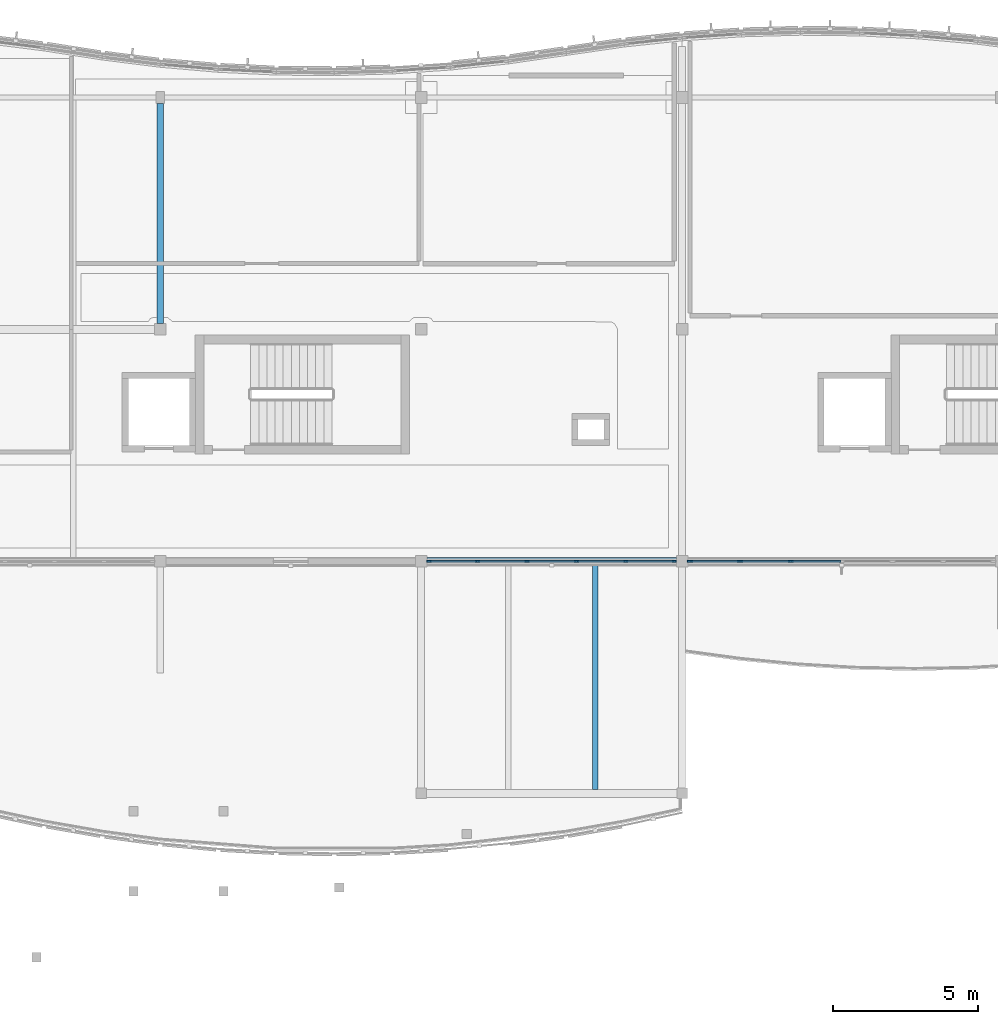
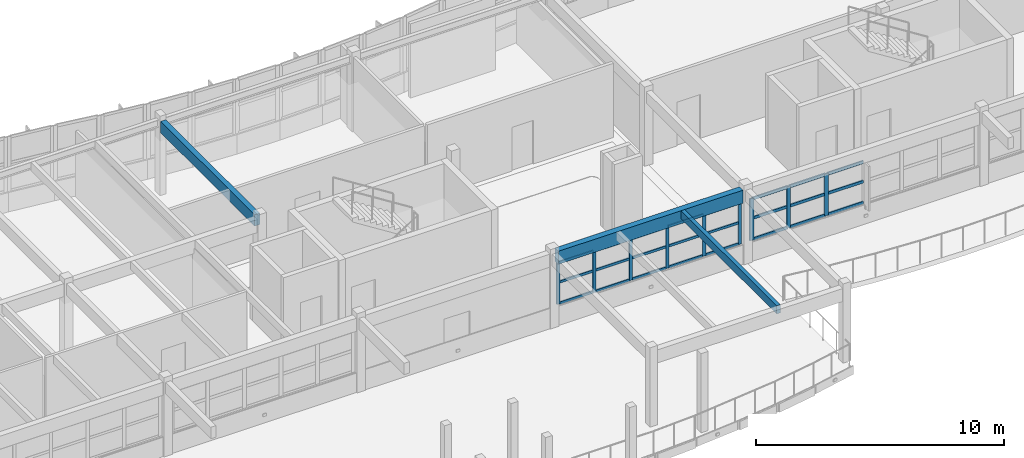
# One storey, part 20 of 63: 33 members, 3 beams, 2 elements without a shape of their own.
"""IFC4 building model written with IfcOpenShell, lengths in metres."""

from ifc_helpers import new_model, si_unit, direction, frame, origin, origin_2d, place, context, subcontext, project, spatial, rectangle, extrude, material, layer, layer_set, material_profile, profile_set, type_object, element, aggregate, save


model = new_model("IFC4")

# Units and contexts
model_context = context("Model", 3, precision=1e-05, world=origin(), true_north=direction((0.0, 1.0)))
body_context = subcontext(model_context, "Body", "Model", "MODEL_VIEW")
ifc_project = project(units=[si_unit("LENGTHUNIT", "METRE"), si_unit("AREAUNIT", "SQUARE_METRE"), si_unit("VOLUMEUNIT", "CUBIC_METRE"), si_unit("PLANEANGLEUNIT", "RADIAN"), si_unit("MASSUNIT", "GRAM", prefix="KILO")], contexts=[model_context])

# Site, building, storey
site_placement = place(None, origin())
site = spatial("IfcSite", under=ifc_project, at=site_placement, CompositionType="ELEMENT")
building_placement = place(site_placement, origin())
building = spatial("IfcBuilding", under=site, at=building_placement, Name="Tonlespit Floodbar School", CompositionType="ELEMENT")
storey_placement = place(building_placement, frame((0.0, 0.0, 8.39990234375)))
storey = spatial("IfcBuildingStorey", under=building, at=storey_placement, Name="L02", CompositionType="ELEMENT", Elevation=8.39990234375)

# Beams
ifc_material_1 = material(Name="Glulam GL28h", Category="wood")
ifc_material_profile_1 = material_profile(ifc_material_1, rectangle(XDim=0.239990234375, YDim=0.56005859375, at=origin_2d()), Name="GL 240x560")
ifc_profile_set_1 = profile_set([ifc_material_profile_1], Name="Glulam GL28h")
beam_type_1 = type_object("IfcBeamType", Name="Beam_GL_240x560", PredefinedType="BEAM", material=ifc_profile_set_1)
beam_1_placement = place(storey_placement, frame((98.0, 112.199951171875, 3.3701171875), z_axis=(0.0, 1.0, 0.0), x_axis=(-1.0, 0.0, 0.0)))
element("IfcBeam", 1, at=beam_1_placement, inside=storey, type_object=beam_type_1, Name="L02 girder 1043", PredefinedType="BEAM", context=body_context, shape_type="SweptSolid", body=[
    extrude(rectangle(XDim=0.239990234375, YDim=0.56005859375, at=origin_2d()), origin(), (0.0, 0.0, 1.0), 7.590087890625),
])
ifc_material_profile_2 = material_profile(ifc_material_1, rectangle(XDim=0.280029296875, YDim=0.639892578125, at=origin_2d()), Name="GL 280x640")
ifc_profile_set_2 = profile_set([ifc_material_profile_2], Name="Glulam GL28h")
beam_type_2 = type_object("IfcBeamType", Name="Beam_GL_280x640", PredefinedType="BEAM", material=ifc_profile_set_2)
beam_2_placement = place(storey_placement, frame((107.199951171875, 104.0, 3.328125), z_axis=(1.0, 0.0, 0.0), x_axis=(0.0, 1.0, 0.0)))
element("IfcBeam", 2, at=beam_2_placement, inside=storey, type_object=beam_type_2, Name="L02 girder 0966", PredefinedType="BEAM", context=body_context, shape_type="SweptSolid", body=[
    extrude(rectangle(XDim=0.280029296875, YDim=0.639892578125, at=origin_2d()), origin(), (0.0, 0.0, 1.0), 8.60009765625),
])

# Curtain wall, members
ifc_material_2 = material(Name="Anodised Aluminium", Category="aluminium")
ifc_layer_1 = layer(ifc_material_2, 0.159912109375)
ifc_layer_set_1 = layer_set([ifc_layer_1], Name="Anodised Aluminium")
curtain_wall_type_1 = type_object("IfcCurtainWallType", Name="CurtainWall_8500x2050", PredefinedType="NOTDEFINED", material=ifc_layer_set_1)
curtain_wall_1_placement = place(storey_placement, origin())
curtain_wall_1 = element("IfcCurtainWall", 3, at=curtain_wall_1_placement, inside=storey, type_object=curtain_wall_type_1, Name="L02 unitised curtain wall 0118", PredefinedType="NOTDEFINED")
ifc_material_profile_3 = material_profile(ifc_material_2, rectangle(XDim=0.06494140625, YDim=0.14990234375, at=origin_2d()), Name="ALU M65x150")
ifc_profile_set_3 = profile_set([ifc_material_profile_3], Name="Anodised Aluminium")
member_type_1 = type_object("IfcMemberType", Name="CW_Mullion_65x150", PredefinedType="MULLION", material=ifc_profile_set_3)
member_1_placement = place(storey_placement, frame((115.7275390625, 104.0, 0.9501953125), z_axis=(0.0, 0.0, 1.0), x_axis=(0.0, -1.0, 0.0)))
member_1 = element("IfcMember", 4, at=member_1_placement, type_object=member_type_1, Name="CW-07 mullion 1", PredefinedType="MULLION", context=body_context, shape_type="SweptSolid", body=[
    extrude(rectangle(XDim=0.06494140625, YDim=0.14990234375, at=origin_2d()), origin(), (0.0, 0.0, 1.0), 2.057861328125),
])
member_2_placement = place(storey_placement, frame((114.055908203125, 104.0, 0.9501953125), z_axis=(0.0, 0.0, 1.0), x_axis=(0.0, -1.0, 0.0)))
member_2 = element("IfcMember", 5, at=member_2_placement, type_object=member_type_1, Name="CW-07 mullion 2", PredefinedType="MULLION", context=body_context, shape_type="SweptSolid", body=[
    extrude(rectangle(XDim=0.06494140625, YDim=0.14990234375, at=origin_2d()), origin(), (0.0, 0.0, 1.0), 2.057861328125),
])
member_3_placement = place(storey_placement, frame((112.35205078125, 104.0, 0.9501953125), z_axis=(0.0, 0.0, 1.0), x_axis=(0.0, -1.0, 0.0)))
member_3 = element("IfcMember", 6, at=member_3_placement, type_object=member_type_1, Name="CW-07 mullion 3", PredefinedType="MULLION", context=body_context, shape_type="SweptSolid", body=[
    extrude(rectangle(XDim=0.06494140625, YDim=0.14990234375, at=origin_2d()), origin(), (0.0, 0.0, 1.0), 2.057861328125),
])
member_4_placement = place(storey_placement, frame((110.64794921875, 104.0, 0.9501953125), z_axis=(0.0, 0.0, 1.0), x_axis=(0.0, -1.0, 0.0)))
member_4 = element("IfcMember", 7, at=member_4_placement, type_object=member_type_1, Name="CW-07 mullion 4", PredefinedType="MULLION", context=body_context, shape_type="SweptSolid", body=[
    extrude(rectangle(XDim=0.06494140625, YDim=0.14990234375, at=origin_2d()), origin(), (0.0, 0.0, 1.0), 2.057861328125),
])
member_5_placement = place(storey_placement, frame((108.944091796875, 104.0, 0.9501953125), z_axis=(0.0, 0.0, 1.0), x_axis=(0.0, -1.0, 0.0)))
member_5 = element("IfcMember", 8, at=member_5_placement, type_object=member_type_1, Name="CW-07 mullion 5", PredefinedType="MULLION", context=body_context, shape_type="SweptSolid", body=[
    extrude(rectangle(XDim=0.06494140625, YDim=0.14990234375, at=origin_2d()), origin(), (0.0, 0.0, 1.0), 2.057861328125),
])
member_6_placement = place(storey_placement, frame((107.2724609375, 104.0, 0.9501953125), z_axis=(0.0, 0.0, 1.0), x_axis=(0.0, -1.0, 0.0)))
member_6 = element("IfcMember", 9, at=member_6_placement, type_object=member_type_1, Name="CW-07 mullion 6", PredefinedType="MULLION", context=body_context, shape_type="SweptSolid", body=[
    extrude(rectangle(XDim=0.06494140625, YDim=0.14990234375, at=origin_2d()), origin(), (0.0, 0.0, 1.0), 2.057861328125),
])

ifc_layer_2 = layer(ifc_material_2, 0.159912109375)
ifc_layer_set_2 = layer_set([ifc_layer_2], Name="Anodised Aluminium")
curtain_wall_type_2 = type_object("IfcCurtainWallType", Name="CurtainWall_10500x2050", PredefinedType="NOTDEFINED", material=ifc_layer_set_2)
curtain_wall_2_placement = place(storey_placement, origin())
curtain_wall_2 = element("IfcCurtainWall", 10, at=curtain_wall_2_placement, inside=storey, type_object=curtain_wall_type_2, Name="L02 unitised curtain wall 0445", PredefinedType="NOTDEFINED")
ifc_material_profile_4 = material_profile(ifc_material_2, rectangle(XDim=0.06494140625, YDim=0.179931640625, at=origin_2d()), Name="ALU M65x180")
ifc_profile_set_4 = profile_set([ifc_material_profile_4], Name="Anodised Aluminium")
member_type_2 = type_object("IfcMemberType", Name="CW_Mullion_65x180", PredefinedType="MULLION", material=ifc_profile_set_4)
member_7_placement = place(storey_placement, frame((119.74658203125, 104.0, 0.9501953125), z_axis=(0.0, 0.0, 1.0), x_axis=(0.0, -1.0, 0.0)))
member_7 = element("IfcMember", 11, at=member_7_placement, type_object=member_type_2, Name="CW-68 mullion 5", PredefinedType="MULLION", context=body_context, shape_type="SweptSolid", body=[
    extrude(rectangle(XDim=0.06494140625, YDim=0.179931640625, at=origin_2d()), origin(), (0.0, 0.0, 1.0), 2.054931640625),
])
member_8_placement = place(storey_placement, frame((117.993408203125, 104.0, 0.9501953125), z_axis=(0.0, 0.0, 1.0), x_axis=(0.0, -1.0, 0.0)))
member_8 = element("IfcMember", 12, at=member_8_placement, type_object=member_type_2, Name="CW-68 mullion 6", PredefinedType="MULLION", context=body_context, shape_type="SweptSolid", body=[
    extrude(rectangle(XDim=0.06494140625, YDim=0.179931640625, at=origin_2d()), origin(), (0.0, 0.0, 1.0), 2.054931640625),
])
member_9_placement = place(storey_placement, frame((116.2724609375, 104.0, 0.9501953125), z_axis=(0.0, 0.0, 1.0), x_axis=(0.0, -1.0, 0.0)))
member_9 = element("IfcMember", 13, at=member_9_placement, type_object=member_type_2, Name="CW-68 mullion 7", PredefinedType="MULLION", context=body_context, shape_type="SweptSolid", body=[
    extrude(rectangle(XDim=0.06494140625, YDim=0.179931640625, at=origin_2d()), origin(), (0.0, 0.0, 1.0), 2.054931640625),
])

# Member
ifc_material_profile_5 = material_profile(ifc_material_2, rectangle(XDim=0.06494140625, YDim=0.1201171875, at=origin_2d()), Name="ALU T65x120")
ifc_profile_set_5 = profile_set([ifc_material_profile_5], Name="Anodised Aluminium")
member_type_3 = type_object("IfcMemberType", Name="CW_Transom_65x120", PredefinedType="USERDEFINED", material=ifc_profile_set_5)
member_10_placement = place(storey_placement, frame((115.695068359375, 104.0, 0.982666015625), z_axis=(-1.0, 0.0, 0.0), x_axis=(0.0, -1.0, 0.0)))
member_10 = element("IfcMember", 14, at=member_10_placement, type_object=member_type_3, Name="CW-07 transom 1.1", ObjectType="TRANSOM", PredefinedType="USERDEFINED", context=body_context, shape_type="SweptSolid", body=[
    extrude(rectangle(XDim=0.06494140625, YDim=0.1201171875, at=origin_2d()), origin(), (0.0, 0.0, 1.0), 1.606689453125),
])

member_11_placement = place(storey_placement, frame((115.695068359375, 104.0, 2.020263671875), z_axis=(-1.0, 0.0, 0.0), x_axis=(0.0, -1.0, 0.0)))
member_11 = element("IfcMember", 15, at=member_11_placement, type_object=member_type_3, Name="CW-07 transom 1.2", ObjectType="TRANSOM", PredefinedType="USERDEFINED", context=body_context, shape_type="SweptSolid", body=[
    extrude(rectangle(XDim=0.06494140625, YDim=0.1201171875, at=origin_2d()), origin(), (0.0, 0.0, 1.0), 1.606689453125),
])

member_12_placement = place(storey_placement, frame((115.695068359375, 104.0, 2.9755859375), z_axis=(-1.0, 0.0, 0.0), x_axis=(0.0, -1.0, 0.0)))
member_12 = element("IfcMember", 16, at=member_12_placement, type_object=member_type_3, Name="CW-07 transom 1.3", ObjectType="TRANSOM", PredefinedType="USERDEFINED", context=body_context, shape_type="SweptSolid", body=[
    extrude(rectangle(XDim=0.06494140625, YDim=0.1201171875, at=origin_2d()), origin(), (0.0, 0.0, 1.0), 1.606689453125),
])

member_13_placement = place(storey_placement, frame((114.0234375, 104.0, 0.982666015625), z_axis=(-1.0, 0.0, 0.0), x_axis=(0.0, -1.0, 0.0)))
member_13 = element("IfcMember", 17, at=member_13_placement, type_object=member_type_3, Name="CW-07 transom 2.1", ObjectType="TRANSOM", PredefinedType="USERDEFINED", context=body_context, shape_type="SweptSolid", body=[
    extrude(rectangle(XDim=0.06494140625, YDim=0.1201171875, at=origin_2d()), origin(), (0.0, 0.0, 1.0), 1.638916015625),
])

member_14_placement = place(storey_placement, frame((114.0234375, 104.0, 2.020263671875), z_axis=(-1.0, 0.0, 0.0), x_axis=(0.0, -1.0, 0.0)))
member_14 = element("IfcMember", 18, at=member_14_placement, type_object=member_type_3, Name="CW-07 transom 2.2", ObjectType="TRANSOM", PredefinedType="USERDEFINED", context=body_context, shape_type="SweptSolid", body=[
    extrude(rectangle(XDim=0.06494140625, YDim=0.1201171875, at=origin_2d()), origin(), (0.0, 0.0, 1.0), 1.638916015625),
])

member_15_placement = place(storey_placement, frame((114.0234375, 104.0, 2.9755859375), z_axis=(-1.0, 0.0, 0.0), x_axis=(0.0, -1.0, 0.0)))
member_15 = element("IfcMember", 19, at=member_15_placement, type_object=member_type_3, Name="CW-07 transom 2.3", ObjectType="TRANSOM", PredefinedType="USERDEFINED", context=body_context, shape_type="SweptSolid", body=[
    extrude(rectangle(XDim=0.06494140625, YDim=0.1201171875, at=origin_2d()), origin(), (0.0, 0.0, 1.0), 1.638916015625),
])

member_16_placement = place(storey_placement, frame((112.319580078125, 104.0, 0.982666015625), z_axis=(-1.0, 0.0, 0.0), x_axis=(0.0, -1.0, 0.0)))
member_16 = element("IfcMember", 20, at=member_16_placement, type_object=member_type_3, Name="CW-07 transom 3.1", ObjectType="TRANSOM", PredefinedType="USERDEFINED", context=body_context, shape_type="SweptSolid", body=[
    extrude(rectangle(XDim=0.06494140625, YDim=0.1201171875, at=origin_2d()), origin(), (0.0, 0.0, 1.0), 1.63916015625),
])

member_17_placement = place(storey_placement, frame((112.319580078125, 104.0, 2.020263671875), z_axis=(-1.0, 0.0, 0.0), x_axis=(0.0, -1.0, 0.0)))
member_17 = element("IfcMember", 21, at=member_17_placement, type_object=member_type_3, Name="CW-07 transom 3.2", ObjectType="TRANSOM", PredefinedType="USERDEFINED", context=body_context, shape_type="SweptSolid", body=[
    extrude(rectangle(XDim=0.06494140625, YDim=0.1201171875, at=origin_2d()), origin(), (0.0, 0.0, 1.0), 1.63916015625),
])

member_18_placement = place(storey_placement, frame((112.319580078125, 104.0, 2.9755859375), z_axis=(-1.0, 0.0, 0.0), x_axis=(0.0, -1.0, 0.0)))
member_18 = element("IfcMember", 22, at=member_18_placement, type_object=member_type_3, Name="CW-07 transom 3.3", ObjectType="TRANSOM", PredefinedType="USERDEFINED", context=body_context, shape_type="SweptSolid", body=[
    extrude(rectangle(XDim=0.06494140625, YDim=0.1201171875, at=origin_2d()), origin(), (0.0, 0.0, 1.0), 1.63916015625),
])

member_19_placement = place(storey_placement, frame((110.615478515625, 104.0, 0.982666015625), z_axis=(-1.0, 0.0, 0.0), x_axis=(0.0, -1.0, 0.0)))
member_19 = element("IfcMember", 23, at=member_19_placement, type_object=member_type_3, Name="CW-07 transom 4.1", ObjectType="TRANSOM", PredefinedType="USERDEFINED", context=body_context, shape_type="SweptSolid", body=[
    extrude(rectangle(XDim=0.06494140625, YDim=0.1201171875, at=origin_2d()), origin(), (0.0, 0.0, 1.0), 1.638916015625),
])

member_20_placement = place(storey_placement, frame((110.615478515625, 104.0, 2.020263671875), z_axis=(-1.0, 0.0, 0.0), x_axis=(0.0, -1.0, 0.0)))
member_20 = element("IfcMember", 24, at=member_20_placement, type_object=member_type_3, Name="CW-07 transom 4.2", ObjectType="TRANSOM", PredefinedType="USERDEFINED", context=body_context, shape_type="SweptSolid", body=[
    extrude(rectangle(XDim=0.06494140625, YDim=0.1201171875, at=origin_2d()), origin(), (0.0, 0.0, 1.0), 1.638916015625),
])

member_21_placement = place(storey_placement, frame((110.615478515625, 104.0, 2.9755859375), z_axis=(-1.0, 0.0, 0.0), x_axis=(0.0, -1.0, 0.0)))
member_21 = element("IfcMember", 25, at=member_21_placement, type_object=member_type_3, Name="CW-07 transom 4.3", ObjectType="TRANSOM", PredefinedType="USERDEFINED", context=body_context, shape_type="SweptSolid", body=[
    extrude(rectangle(XDim=0.06494140625, YDim=0.1201171875, at=origin_2d()), origin(), (0.0, 0.0, 1.0), 1.638916015625),
])

member_22_placement = place(storey_placement, frame((108.91162109375, 104.0, 0.982666015625), z_axis=(-1.0, 0.0, 0.0), x_axis=(0.0, -1.0, 0.0)))
member_22 = element("IfcMember", 26, at=member_22_placement, type_object=member_type_3, Name="CW-07 transom 5.1", ObjectType="TRANSOM", PredefinedType="USERDEFINED", context=body_context, shape_type="SweptSolid", body=[
    extrude(rectangle(XDim=0.06494140625, YDim=0.1201171875, at=origin_2d()), origin(), (0.0, 0.0, 1.0), 1.606689453125),
])

member_23_placement = place(storey_placement, frame((108.91162109375, 104.0, 2.020263671875), z_axis=(-1.0, 0.0, 0.0), x_axis=(0.0, -1.0, 0.0)))
member_23 = element("IfcMember", 27, at=member_23_placement, type_object=member_type_3, Name="CW-07 transom 5.2", ObjectType="TRANSOM", PredefinedType="USERDEFINED", context=body_context, shape_type="SweptSolid", body=[
    extrude(rectangle(XDim=0.06494140625, YDim=0.1201171875, at=origin_2d()), origin(), (0.0, 0.0, 1.0), 1.606689453125),
])

member_24_placement = place(storey_placement, frame((108.91162109375, 104.0, 2.9755859375), z_axis=(-1.0, 0.0, 0.0), x_axis=(0.0, -1.0, 0.0)))
member_24 = element("IfcMember", 28, at=member_24_placement, type_object=member_type_3, Name="CW-07 transom 5.3", ObjectType="TRANSOM", PredefinedType="USERDEFINED", context=body_context, shape_type="SweptSolid", body=[
    extrude(rectangle(XDim=0.06494140625, YDim=0.1201171875, at=origin_2d()), origin(), (0.0, 0.0, 1.0), 1.606689453125),
])

aggregate(curtain_wall_1, [member_1, member_2, member_3, member_4, member_5, member_6, member_10, member_11, member_12, member_13, member_14, member_15, member_16, member_17, member_18, member_19, member_20, member_21, member_22, member_23, member_24])

ifc_material_profile_6 = material_profile(ifc_material_2, rectangle(XDim=0.06494140625, YDim=0.139892578125, at=origin_2d()), Name="ALU T65x140")
ifc_profile_set_6 = profile_set([ifc_material_profile_6], Name="Anodised Aluminium")
member_type_4 = type_object("IfcMemberType", Name="CW_Transom_65x140", PredefinedType="USERDEFINED", material=ifc_profile_set_6)
member_25_placement = place(storey_placement, frame((121.467529296875, 104.0, 0.982666015625), z_axis=(-1.0, 0.0, 0.0), x_axis=(0.0, -1.0, 0.0)))
member_25 = element("IfcMember", 29, at=member_25_placement, type_object=member_type_4, Name="CW-68 transom 4.1", ObjectType="TRANSOM", PredefinedType="USERDEFINED", context=body_context, shape_type="SweptSolid", body=[
    extrude(rectangle(XDim=0.06494140625, YDim=0.139892578125, at=origin_2d()), origin(), (0.0, 0.0, 1.0), 1.6884765625),
])

member_26_placement = place(storey_placement, frame((121.467529296875, 104.0, 2.018798828125), z_axis=(-1.0, 0.0, 0.0), x_axis=(0.0, -1.0, 0.0)))
member_26 = element("IfcMember", 30, at=member_26_placement, type_object=member_type_4, Name="CW-68 transom 4.2", ObjectType="TRANSOM", PredefinedType="USERDEFINED", context=body_context, shape_type="SweptSolid", body=[
    extrude(rectangle(XDim=0.06494140625, YDim=0.139892578125, at=origin_2d()), origin(), (0.0, 0.0, 1.0), 1.6884765625),
])

member_27_placement = place(storey_placement, frame((121.467529296875, 104.0, 2.97265625), z_axis=(-1.0, 0.0, 0.0), x_axis=(0.0, -1.0, 0.0)))
member_27 = element("IfcMember", 31, at=member_27_placement, type_object=member_type_4, Name="CW-68 transom 4.3", ObjectType="TRANSOM", PredefinedType="USERDEFINED", context=body_context, shape_type="SweptSolid", body=[
    extrude(rectangle(XDim=0.06494140625, YDim=0.139892578125, at=origin_2d()), origin(), (0.0, 0.0, 1.0), 1.6884765625),
])

member_28_placement = place(storey_placement, frame((119.714111328125, 104.0, 0.982666015625), z_axis=(-1.0, 0.0, 0.0), x_axis=(0.0, -1.0, 0.0)))
member_28 = element("IfcMember", 32, at=member_28_placement, type_object=member_type_4, Name="CW-68 transom 5.1", ObjectType="TRANSOM", PredefinedType="USERDEFINED", context=body_context, shape_type="SweptSolid", body=[
    extrude(rectangle(XDim=0.06494140625, YDim=0.139892578125, at=origin_2d()), origin(), (0.0, 0.0, 1.0), 1.688232421875),
])

member_29_placement = place(storey_placement, frame((119.714111328125, 104.0, 2.018798828125), z_axis=(-1.0, 0.0, 0.0), x_axis=(0.0, -1.0, 0.0)))
member_29 = element("IfcMember", 33, at=member_29_placement, type_object=member_type_4, Name="CW-68 transom 5.2", ObjectType="TRANSOM", PredefinedType="USERDEFINED", context=body_context, shape_type="SweptSolid", body=[
    extrude(rectangle(XDim=0.06494140625, YDim=0.139892578125, at=origin_2d()), origin(), (0.0, 0.0, 1.0), 1.688232421875),
])

member_30_placement = place(storey_placement, frame((119.714111328125, 104.0, 2.97265625), z_axis=(-1.0, 0.0, 0.0), x_axis=(0.0, -1.0, 0.0)))
member_30 = element("IfcMember", 34, at=member_30_placement, type_object=member_type_4, Name="CW-68 transom 5.3", ObjectType="TRANSOM", PredefinedType="USERDEFINED", context=body_context, shape_type="SweptSolid", body=[
    extrude(rectangle(XDim=0.06494140625, YDim=0.139892578125, at=origin_2d()), origin(), (0.0, 0.0, 1.0), 1.688232421875),
])

member_31_placement = place(storey_placement, frame((117.9609375, 104.0, 0.982666015625), z_axis=(-1.0, 0.0, 0.0), x_axis=(0.0, -1.0, 0.0)))
member_31 = element("IfcMember", 35, at=member_31_placement, type_object=member_type_4, Name="CW-68 transom 6.1", ObjectType="TRANSOM", PredefinedType="USERDEFINED", context=body_context, shape_type="SweptSolid", body=[
    extrude(rectangle(XDim=0.06494140625, YDim=0.139892578125, at=origin_2d()), origin(), (0.0, 0.0, 1.0), 1.656005859375),
])

member_32_placement = place(storey_placement, frame((117.9609375, 104.0, 2.018798828125), z_axis=(-1.0, 0.0, 0.0), x_axis=(0.0, -1.0, 0.0)))
member_32 = element("IfcMember", 36, at=member_32_placement, type_object=member_type_4, Name="CW-68 transom 6.2", ObjectType="TRANSOM", PredefinedType="USERDEFINED", context=body_context, shape_type="SweptSolid", body=[
    extrude(rectangle(XDim=0.06494140625, YDim=0.139892578125, at=origin_2d()), origin(), (0.0, 0.0, 1.0), 1.656005859375),
])

member_33_placement = place(storey_placement, frame((117.9609375, 104.0, 2.97265625), z_axis=(-1.0, 0.0, 0.0), x_axis=(0.0, -1.0, 0.0)))
member_33 = element("IfcMember", 37, at=member_33_placement, type_object=member_type_4, Name="CW-68 transom 6.3", ObjectType="TRANSOM", PredefinedType="USERDEFINED", context=body_context, shape_type="SweptSolid", body=[
    extrude(rectangle(XDim=0.06494140625, YDim=0.139892578125, at=origin_2d()), origin(), (0.0, 0.0, 1.0), 1.656005859375),
])

aggregate(curtain_wall_2, [member_7, member_8, member_9, member_25, member_26, member_27, member_28, member_29, member_30, member_31, member_32, member_33])

# Beam
ifc_material_profile_7 = material_profile(ifc_material_1, rectangle(XDim=0.179931640625, YDim=0.39990234375, at=origin_2d()), Name="GL 180x400")
ifc_profile_set_7 = profile_set([ifc_material_profile_7], Name="Glulam GL28h")
beam_type_3 = type_object("IfcBeamType", Name="Joist_GL_180x400", PredefinedType="JOIST", material=ifc_profile_set_7)
beam_3_placement = place(storey_placement, frame((113.0, 96.139892578125, 3.447998046875), z_axis=(0.0, 1.0, 0.0), x_axis=(-1.0, 0.0, 0.0)))
element("IfcBeam", 38, at=beam_3_placement, inside=storey, type_object=beam_type_3, Name="L02 secondary joist 1107", PredefinedType="JOIST", context=body_context, shape_type="SweptSolid", body=[
    extrude(rectangle(XDim=0.179931640625, YDim=0.39990234375, at=origin_2d()), origin(), (0.0, 0.0, 1.0), 7.72021484375),
])

save(model, "model.ifc")
